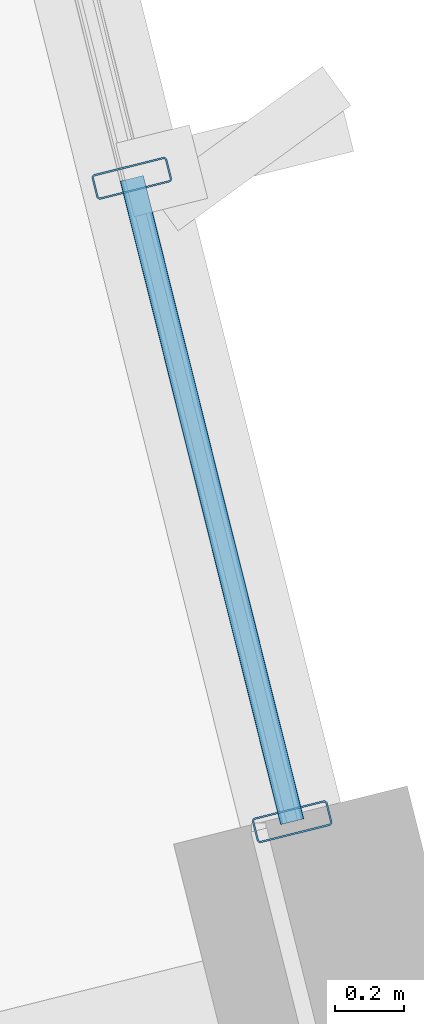
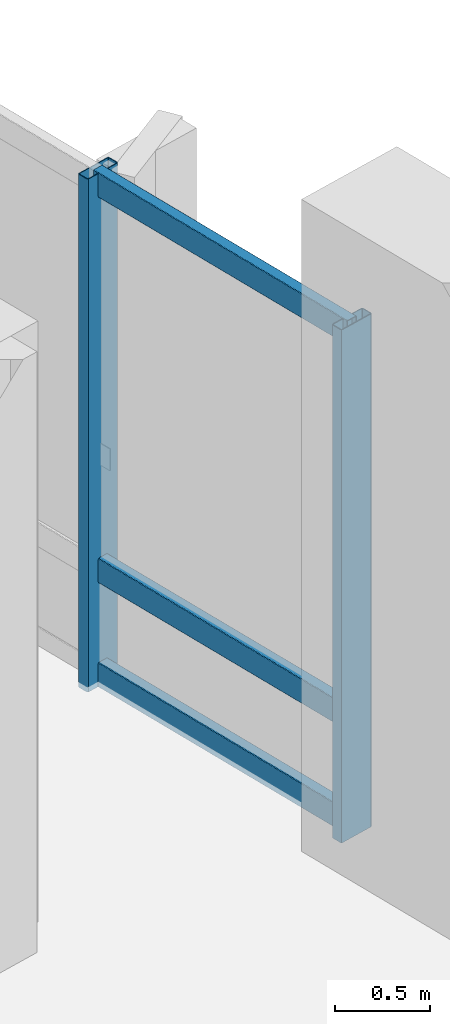
# One storey, part 41 of 75: 5 members, 1 element without a shape of its own.
"""IFC4 building model written with IfcOpenShell, lengths in metres."""

from ifc_helpers import new_model, si_unit, direction, frame, origin, origin_2d, place, context, subcontext, project, spatial, hollow_rectangle, extrude, material, layer, layer_set, material_profile, profile_set, type_object, element, aggregate, save


model = new_model("IFC4")

# Units and contexts
model_context = context("Model", 3, precision=1e-05, world=origin(), true_north=direction((0.0, 1.0)))
body_context = subcontext(model_context, "Body", "Model", "MODEL_VIEW")
ifc_project = project(units=[si_unit("LENGTHUNIT", "METRE"), si_unit("AREAUNIT", "SQUARE_METRE"), si_unit("VOLUMEUNIT", "CUBIC_METRE"), si_unit("PLANEANGLEUNIT", "RADIAN"), si_unit("MASSUNIT", "GRAM", prefix="KILO")], contexts=[model_context])

# Site, building, storey
site_placement = place(None, origin())
site = spatial("IfcSite", under=ifc_project, at=site_placement, CompositionType="ELEMENT")
building_placement = place(site_placement, origin())
building = spatial("IfcBuilding", under=site, at=building_placement, Name="Khorjan Park Terminus", CompositionType="ELEMENT")
storey_placement = place(building_placement, frame((0.0, 0.0, 16.2)))
storey = spatial("IfcBuildingStorey", under=building, at=storey_placement, Name="L03", CompositionType="ELEMENT", Elevation=16.2)

# Curtain wall, members
ifc_material = material(Name="Anodized Bronze Aluminium", Category="aluminium")
ifc_layer = layer(ifc_material, 0.22)
ifc_layer_set = layer_set([ifc_layer], Name="Anodized Bronze Aluminium")
curtain_wall_type = type_object("IfcCurtainWallType", Name="CW-OPS-B", PredefinedType="NOTDEFINED", material=ifc_layer_set)
curtain_wall_placement = place(storey_placement, origin())
curtain_wall = element("IfcCurtainWall", 1, at=curtain_wall_placement, inside=storey, type_object=curtain_wall_type, Name="Unitized curtain wall CW-B (CW-V5-E-L03-B03)", PredefinedType="NOTDEFINED")
ifc_material_profile_1 = material_profile(ifc_material, hollow_rectangle(XDim=0.075, YDim=0.225, WallThickness=0.005, InnerFilletRadius=0.005, OuterFilletRadius=0.01, at=origin_2d()), Name="ALM 75x225x5")
ifc_profile_set_1 = profile_set([ifc_material_profile_1], Name="Anodized Bronze Aluminium")
member_type_1 = type_object("IfcMemberType", Name="ML-ALM-225", PredefinedType="MULLION", material=ifc_profile_set_1)
member_1_placement = place(storey_placement, frame((224.5528, 39.9729, -0.035), z_axis=(0.0, 0.0, 1.0), x_axis=(-0.241922975976, 0.970295456907, 0.0)))
member_1 = element("IfcMember", 2, at=member_1_placement, type_object=member_type_1, Name="Curtain-wall mullion ML-22 (CW-V5-E-L03-B03-0)", PredefinedType="MULLION", context=body_context, shape_type="SweptSolid", body=[
    extrude(hollow_rectangle(XDim=0.075, YDim=0.225, WallThickness=0.005, InnerFilletRadius=0.005, OuterFilletRadius=0.01, at=origin_2d()), origin(), (0.0, 0.0, 1.0), 3.305),
])
member_2_placement = place(storey_placement, frame((224.0863, 41.8438, -0.035), z_axis=(0.0, 0.0, 1.0), x_axis=(-0.241922975976, 0.970295456907, 0.0)))
member_2 = element("IfcMember", 3, at=member_2_placement, type_object=member_type_1, Name="Curtain-wall mullion ML-22 (CW-V5-E-L03-B03-1)", PredefinedType="MULLION", context=body_context, shape_type="SweptSolid", body=[
    extrude(hollow_rectangle(XDim=0.075, YDim=0.225, WallThickness=0.005, InnerFilletRadius=0.005, OuterFilletRadius=0.01, at=origin_2d()), origin(), (0.0, 0.0, 1.0), 3.305),
])
ifc_material_profile_2 = material_profile(ifc_material, hollow_rectangle(XDim=0.07, YDim=0.16, WallThickness=0.004, InnerFilletRadius=0.004, OuterFilletRadius=0.008, at=origin_2d()), Name="ALT 70x160x4")
ifc_profile_set_2 = profile_set([ifc_material_profile_2], Name="Anodized Bronze Aluminium")
member_type_2 = type_object("IfcMemberType", Name="TR-ALT-160", PredefinedType="USERDEFINED", material=ifc_profile_set_2)
member_3_placement = place(storey_placement, frame((224.5528, 39.9729, 0.04), z_axis=(-0.241937637138, 0.970291801334, 0.0), x_axis=(-0.970291801334, -0.241937637138, 0.0)))
member_3 = element("IfcMember", 4, at=member_3_placement, type_object=member_type_2, Name="Curtain-wall transom TR-16 (CW-V5-E-L03-B03-0-1)", ObjectType="TRANSOM", PredefinedType="USERDEFINED", context=body_context, shape_type="SweptSolid", body=[
    extrude(hollow_rectangle(XDim=0.07, YDim=0.16, WallThickness=0.004, InnerFilletRadius=0.004, OuterFilletRadius=0.008, at=origin_2d()), origin(), (0.0, 0.0, 1.0), 1.9282),
])
member_4_placement = place(storey_placement, frame((224.5528, 39.9729, 0.712), z_axis=(-0.241937637138, 0.970291801334, 0.0), x_axis=(-0.970291801334, -0.241937637138, 0.0)))
member_4 = element("IfcMember", 5, at=member_4_placement, type_object=member_type_2, Name="Curtain-wall transom TR-16 (CW-V5-E-L03-B03-0-2)", ObjectType="TRANSOM", PredefinedType="USERDEFINED", context=body_context, shape_type="SweptSolid", body=[
    extrude(hollow_rectangle(XDim=0.07, YDim=0.16, WallThickness=0.004, InnerFilletRadius=0.004, OuterFilletRadius=0.008, at=origin_2d()), origin(), (0.0, 0.0, 1.0), 1.9282),
])
member_5_placement = place(storey_placement, frame((224.5528, 39.9729, 3.195), z_axis=(-0.241937637138, 0.970291801334, 0.0), x_axis=(-0.970291801334, -0.241937637138, 0.0)))
member_5 = element("IfcMember", 6, at=member_5_placement, type_object=member_type_2, Name="Curtain-wall transom TR-16 (CW-V5-E-L03-B03-0-3)", ObjectType="TRANSOM", PredefinedType="USERDEFINED", context=body_context, shape_type="SweptSolid", body=[
    extrude(hollow_rectangle(XDim=0.07, YDim=0.16, WallThickness=0.004, InnerFilletRadius=0.004, OuterFilletRadius=0.008, at=origin_2d()), origin(), (0.0, 0.0, 1.0), 1.9282),
])
aggregate(curtain_wall, [member_1, member_2, member_3, member_4, member_5])

save(model, "model.ifc")
